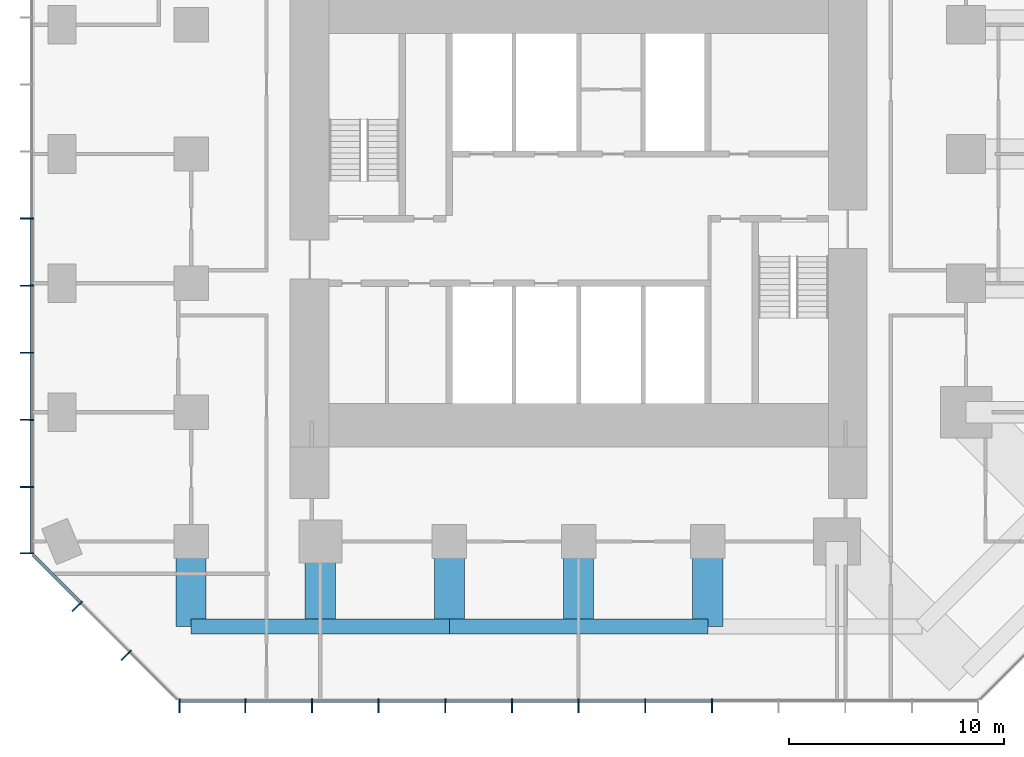
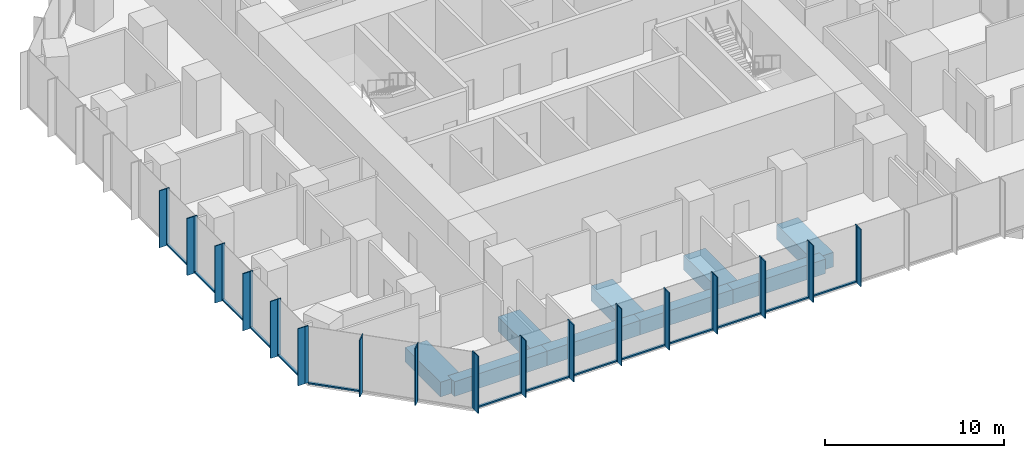
# One storey, part 2 of 12: 48 members, 9 beams, 3 elements without a shape of their own.
"""IFC4 building model written with IfcOpenShell, lengths in metres."""

from ifc_helpers import new_model, si_unit, direction, frame, origin, origin_2d, place, context, subcontext, project, spatial, rectangle, extrude, material, layer, layer_set, material_profile, profile_set, type_object, element, aggregate, save


model = new_model("IFC4")

# Units and contexts
model_context = context("Model", 3, precision=1e-05, world=origin(), true_north=direction((0.0, 1.0)))
body_context = subcontext(model_context, "Body", "Model", "MODEL_VIEW")
ifc_project = project(units=[si_unit("LENGTHUNIT", "METRE"), si_unit("AREAUNIT", "SQUARE_METRE"), si_unit("VOLUMEUNIT", "CUBIC_METRE"), si_unit("PLANEANGLEUNIT", "RADIAN"), si_unit("MASSUNIT", "GRAM", prefix="KILO")], contexts=[model_context])

# Site, building, storey
site_placement = place(None, origin())
site = spatial("IfcSite", under=ifc_project, at=site_placement, CompositionType="ELEMENT")
building_placement = place(site_placement, origin())
building = spatial("IfcBuilding", under=site, at=building_placement, Name="Highveld Stack Headquarters", CompositionType="ELEMENT")
storey_placement = place(building_placement, frame((0.0, 0.0, 156.199951171875)))
storey = spatial("IfcBuildingStorey", under=building, at=storey_placement, Name="L38", CompositionType="ELEMENT", Elevation=156.199951171875)

# Beams
ifc_material_1 = material(Name="Concrete C60/75", Category="concrete")
ifc_material_profile_1 = material_profile(ifc_material_1, rectangle(XDim=1.39990234375, YDim=1.0, at=origin_2d()), Name="RC 1400x1000")
ifc_profile_set_1 = profile_set([ifc_material_profile_1], Name="Concrete C60/75")
beam_type_1 = type_object("IfcBeamType", Name="CANTILEVER RIB RC 1400x1000", PredefinedType="USERDEFINED", material=ifc_profile_set_1)
for number, where, z_axis, x_axis, name in (
    (1, (-12.0, -12.0, -0.75), (0.0, -1.0, 0.0), (1.0, 0.0, 0.0), "Cantilever rib 4/C L38"),
    (2, (-6.0, -12.0, -0.75), (0.0, -1.0, 0.0), (1.0, 0.0, 0.0), "Cantilever rib 5/C L38"),
    (3, (0.0, -12.0, -0.75), (0.0, -1.0, 0.0), (1.0, 0.0, 0.0), "Cantilever rib 6/C L38"),
    (4, (6.0, -12.0, -0.75), (0.0, -1.0, 0.0), (1.0, 0.0, 0.0), "Cantilever rib 7/C L38"),
    (5, (12.0, -12.0, -0.75), (0.0, -1.0, 0.0), (1.0, 0.0, 0.0), "Cantilever rib 8/C L38"),
):
    element("IfcBeam", number, at=place(storey_placement, frame(where, z_axis=z_axis, x_axis=x_axis)), inside=storey, type_object=beam_type_1, Name=name, ObjectType="CANTILEVER RIB", PredefinedType="USERDEFINED", context=body_context, shape_type="SweptSolid", body=[
        extrude(rectangle(XDim=1.39990234375, YDim=1.0, at=origin_2d()), origin(), (0.0, 0.0, 1.0), 3.949951171875),
    ])

# Curtain wall, members
ifc_material_2 = material(Name="Aluminium bronze anodised", Category="aluminium")
ifc_layer_1 = layer(ifc_material_2, 0.199951171875)
ifc_layer_set_1 = layer_set([ifc_layer_1], Name="Aluminium bronze anodised")
curtain_wall_type_1 = type_object("IfcCurtainWallType", Name="CW1 TOWER UNITISED CURTAIN WALL", PredefinedType="NOTDEFINED", material=ifc_layer_set_1)
curtain_wall_1_placement = place(storey_placement, origin())
curtain_wall_1 = element("IfcCurtainWall", 6, at=curtain_wall_1_placement, inside=storey, type_object=curtain_wall_type_1, Name="Curtain wall CW1 L38 S", PredefinedType="NOTDEFINED")
ifc_material_3 = material(Name="Aluminium bronze anodised", Category="aluminium")
ifc_material_profile_2 = material_profile(ifc_material_3, rectangle(XDim=0.449951171875, YDim=0.06005859375, at=origin_2d()), Name="FIN 450x60")
ifc_profile_set_2 = profile_set([ifc_material_profile_2], Name="Aluminium bronze anodised")
member_type_1 = type_object("IfcMemberType", Name="CW1 BRONZE FIN 450x60", PredefinedType="USERDEFINED", material=ifc_profile_set_2)
member_1_placement = place(storey_placement, frame((-12.54736328125, -19.72509765625, 0.0), z_axis=(0.0, 0.0, 1.0), x_axis=(0.0, 1.0, 0.0)))
member_1 = element("IfcMember", 7, at=member_1_placement, type_object=member_type_1, Name="CW1 fin L38 1", ObjectType="FIN", PredefinedType="USERDEFINED", context=body_context, shape_type="SweptSolid", body=[
    extrude(rectangle(XDim=0.449951171875, YDim=0.06005859375, at=origin_2d()), origin(), (0.0, 0.0, 1.0), 3.900146484375),
])
member_2_placement = place(storey_placement, frame((-9.483154296875, -19.72509765625, 0.0), z_axis=(0.0, 0.0, 1.0), x_axis=(0.0, 1.0, 0.0)))
member_2 = element("IfcMember", 8, at=member_2_placement, type_object=member_type_1, Name="CW1 fin L38 2", ObjectType="FIN", PredefinedType="USERDEFINED", context=body_context, shape_type="SweptSolid", body=[
    extrude(rectangle(XDim=0.449951171875, YDim=0.06005859375, at=origin_2d()), origin(), (0.0, 0.0, 1.0), 3.900146484375),
])
member_3_placement = place(storey_placement, frame((-6.38671875, -19.72509765625, 0.0), z_axis=(0.0, 0.0, 1.0), x_axis=(0.0, 1.0, 0.0)))
member_3 = element("IfcMember", 9, at=member_3_placement, type_object=member_type_1, Name="CW1 fin L38 3", ObjectType="FIN", PredefinedType="USERDEFINED", context=body_context, shape_type="SweptSolid", body=[
    extrude(rectangle(XDim=0.449951171875, YDim=0.06005859375, at=origin_2d()), origin(), (0.0, 0.0, 1.0), 3.900146484375),
])
member_4_placement = place(storey_placement, frame((-3.2900390625, -19.72509765625, 0.0), z_axis=(0.0, 0.0, 1.0), x_axis=(0.0, 1.0, 0.0)))
member_4 = element("IfcMember", 10, at=member_4_placement, type_object=member_type_1, Name="CW1 fin L38 4", ObjectType="FIN", PredefinedType="USERDEFINED", context=body_context, shape_type="SweptSolid", body=[
    extrude(rectangle(XDim=0.449951171875, YDim=0.06005859375, at=origin_2d()), origin(), (0.0, 0.0, 1.0), 3.900146484375),
])
member_5_placement = place(storey_placement, frame((-0.193359375, -19.72509765625, 0.0), z_axis=(0.0, 0.0, 1.0), x_axis=(0.0, 1.0, 0.0)))
member_5 = element("IfcMember", 11, at=member_5_placement, type_object=member_type_1, Name="CW1 fin L38 5", ObjectType="FIN", PredefinedType="USERDEFINED", context=body_context, shape_type="SweptSolid", body=[
    extrude(rectangle(XDim=0.449951171875, YDim=0.06005859375, at=origin_2d()), origin(), (0.0, 0.0, 1.0), 3.900146484375),
])
member_6_placement = place(storey_placement, frame((2.9033203125, -19.72509765625, 0.0), z_axis=(0.0, 0.0, 1.0), x_axis=(0.0, 1.0, 0.0)))
member_6 = element("IfcMember", 12, at=member_6_placement, type_object=member_type_1, Name="CW1 fin L38 6", ObjectType="FIN", PredefinedType="USERDEFINED", context=body_context, shape_type="SweptSolid", body=[
    extrude(rectangle(XDim=0.449951171875, YDim=0.06005859375, at=origin_2d()), origin(), (0.0, 0.0, 1.0), 3.900146484375),
])
member_7_placement = place(storey_placement, frame((6.0, -19.72509765625, 0.0), z_axis=(0.0, 0.0, 1.0), x_axis=(0.0, 1.0, 0.0)))
member_7 = element("IfcMember", 13, at=member_7_placement, type_object=member_type_1, Name="CW1 fin L38 7", ObjectType="FIN", PredefinedType="USERDEFINED", context=body_context, shape_type="SweptSolid", body=[
    extrude(rectangle(XDim=0.449951171875, YDim=0.06005859375, at=origin_2d()), origin(), (0.0, 0.0, 1.0), 3.900146484375),
])
member_8_placement = place(storey_placement, frame((9.0966796875, -19.72509765625, 0.0), z_axis=(0.0, 0.0, 1.0), x_axis=(0.0, 1.0, 0.0)))
member_8 = element("IfcMember", 14, at=member_8_placement, type_object=member_type_1, Name="CW1 fin L38 8", ObjectType="FIN", PredefinedType="USERDEFINED", context=body_context, shape_type="SweptSolid", body=[
    extrude(rectangle(XDim=0.449951171875, YDim=0.06005859375, at=origin_2d()), origin(), (0.0, 0.0, 1.0), 3.900146484375),
])
member_9_placement = place(storey_placement, frame((12.193359375, -19.72509765625, 0.0), z_axis=(0.0, 0.0, 1.0), x_axis=(0.0, 1.0, 0.0)))
member_9 = element("IfcMember", 15, at=member_9_placement, type_object=member_type_1, Name="CW1 fin L38 9", ObjectType="FIN", PredefinedType="USERDEFINED", context=body_context, shape_type="SweptSolid", body=[
    extrude(rectangle(XDim=0.449951171875, YDim=0.06005859375, at=origin_2d()), origin(), (0.0, 0.0, 1.0), 3.900146484375),
])

curtain_wall_2_placement = place(storey_placement, origin())
curtain_wall_2 = element("IfcCurtainWall", 16, at=curtain_wall_2_placement, inside=storey, type_object=curtain_wall_type_1, Name="Curtain wall CW1 L38 W", PredefinedType="NOTDEFINED")
member_10_placement = place(storey_placement, frame((-19.72509765625, 3.0, 0.0), z_axis=(0.0, 0.0, 1.0), x_axis=(1.0, 0.0, 0.0)))
member_10 = element("IfcMember", 17, at=member_10_placement, type_object=member_type_1, Name="CW1 fin L38 6", ObjectType="FIN", PredefinedType="USERDEFINED", context=body_context, shape_type="SweptSolid", body=[
    extrude(rectangle(XDim=0.449951171875, YDim=0.06005859375, at=origin_2d()), origin(), (0.0, 0.0, 1.0), 3.900146484375),
])
member_11_placement = place(storey_placement, frame((-19.72509765625, -0.115966796875, 0.0), z_axis=(0.0, 0.0, 1.0), x_axis=(1.0, 0.0, 0.0)))
member_11 = element("IfcMember", 18, at=member_11_placement, type_object=member_type_1, Name="CW1 fin L38 7", ObjectType="FIN", PredefinedType="USERDEFINED", context=body_context, shape_type="SweptSolid", body=[
    extrude(rectangle(XDim=0.449951171875, YDim=0.06005859375, at=origin_2d()), origin(), (0.0, 0.0, 1.0), 3.900146484375),
])
member_12_placement = place(storey_placement, frame((-19.72509765625, -3.23193359375, 0.0), z_axis=(0.0, 0.0, 1.0), x_axis=(1.0, 0.0, 0.0)))
member_12 = element("IfcMember", 19, at=member_12_placement, type_object=member_type_1, Name="CW1 fin L38 8", ObjectType="FIN", PredefinedType="USERDEFINED", context=body_context, shape_type="SweptSolid", body=[
    extrude(rectangle(XDim=0.449951171875, YDim=0.06005859375, at=origin_2d()), origin(), (0.0, 0.0, 1.0), 3.900146484375),
])
member_13_placement = place(storey_placement, frame((-19.72509765625, -6.347900390625, 0.0), z_axis=(0.0, 0.0, 1.0), x_axis=(1.0, 0.0, 0.0)))
member_13 = element("IfcMember", 20, at=member_13_placement, type_object=member_type_1, Name="CW1 fin L38 9", ObjectType="FIN", PredefinedType="USERDEFINED", context=body_context, shape_type="SweptSolid", body=[
    extrude(rectangle(XDim=0.449951171875, YDim=0.06005859375, at=origin_2d()), origin(), (0.0, 0.0, 1.0), 3.900146484375),
])
member_14_placement = place(storey_placement, frame((-19.72509765625, -9.4638671875, 0.0), z_axis=(0.0, 0.0, 1.0), x_axis=(1.0, 0.0, 0.0)))
member_14 = element("IfcMember", 21, at=member_14_placement, type_object=member_type_1, Name="CW1 fin L38 10", ObjectType="FIN", PredefinedType="USERDEFINED", context=body_context, shape_type="SweptSolid", body=[
    extrude(rectangle(XDim=0.449951171875, YDim=0.06005859375, at=origin_2d()), origin(), (0.0, 0.0, 1.0), 3.900146484375),
])
member_15_placement = place(storey_placement, frame((-19.72509765625, -12.54736328125, 0.0), z_axis=(0.0, 0.0, 1.0), x_axis=(1.0, 0.0, 0.0)))
member_15 = element("IfcMember", 22, at=member_15_placement, type_object=member_type_1, Name="CW1 fin L38 11", ObjectType="FIN", PredefinedType="USERDEFINED", context=body_context, shape_type="SweptSolid", body=[
    extrude(rectangle(XDim=0.449951171875, YDim=0.06005859375, at=origin_2d()), origin(), (0.0, 0.0, 1.0), 3.900146484375),
])

# Member
ifc_material_4 = material(Name="Aluminium bronze anodised", Category="aluminium")
ifc_material_profile_3 = material_profile(ifc_material_4, rectangle(XDim=0.199951171875, YDim=0.06494140625, at=origin_2d()), Name="CW1 MULLION 65x200")
ifc_profile_set_3 = profile_set([ifc_material_profile_3], Name="Aluminium bronze anodised")
member_type_2 = type_object("IfcMemberType", Name="CW1 MULLION 65x200", PredefinedType="MULLION", material=ifc_profile_set_3)
member_16_placement = place(storey_placement, frame((-12.54736328125, -19.39990234375, 0.0), z_axis=(0.0, 0.0, 1.0), x_axis=(0.0, 1.0, 0.0)))
member_16 = element("IfcMember", 23, at=member_16_placement, type_object=member_type_2, Name="CW1 mullion L38 1", PredefinedType="MULLION", context=body_context, shape_type="SweptSolid", body=[
    extrude(rectangle(XDim=0.199951171875, YDim=0.06494140625, at=origin_2d()), origin(), (0.0, 0.0, 1.0), 3.900146484375),
])

member_17_placement = place(storey_placement, frame((-9.483154296875, -19.39990234375, 0.0), z_axis=(0.0, 0.0, 1.0), x_axis=(0.0, 1.0, 0.0)))
member_17 = element("IfcMember", 24, at=member_17_placement, type_object=member_type_2, Name="CW1 mullion L38 2", PredefinedType="MULLION", context=body_context, shape_type="SweptSolid", body=[
    extrude(rectangle(XDim=0.199951171875, YDim=0.06494140625, at=origin_2d()), origin(), (0.0, 0.0, 1.0), 3.900146484375),
])

member_18_placement = place(storey_placement, frame((-6.38671875, -19.39990234375, 0.0), z_axis=(0.0, 0.0, 1.0), x_axis=(0.0, 1.0, 0.0)))
member_18 = element("IfcMember", 25, at=member_18_placement, type_object=member_type_2, Name="CW1 mullion L38 3", PredefinedType="MULLION", context=body_context, shape_type="SweptSolid", body=[
    extrude(rectangle(XDim=0.199951171875, YDim=0.06494140625, at=origin_2d()), origin(), (0.0, 0.0, 1.0), 3.900146484375),
])

member_19_placement = place(storey_placement, frame((-3.2900390625, -19.39990234375, 0.0), z_axis=(0.0, 0.0, 1.0), x_axis=(0.0, 1.0, 0.0)))
member_19 = element("IfcMember", 26, at=member_19_placement, type_object=member_type_2, Name="CW1 mullion L38 4", PredefinedType="MULLION", context=body_context, shape_type="SweptSolid", body=[
    extrude(rectangle(XDim=0.199951171875, YDim=0.06494140625, at=origin_2d()), origin(), (0.0, 0.0, 1.0), 3.900146484375),
])

member_20_placement = place(storey_placement, frame((-0.193359375, -19.39990234375, 0.0), z_axis=(0.0, 0.0, 1.0), x_axis=(0.0, 1.0, 0.0)))
member_20 = element("IfcMember", 27, at=member_20_placement, type_object=member_type_2, Name="CW1 mullion L38 5", PredefinedType="MULLION", context=body_context, shape_type="SweptSolid", body=[
    extrude(rectangle(XDim=0.199951171875, YDim=0.06494140625, at=origin_2d()), origin(), (0.0, 0.0, 1.0), 3.900146484375),
])

member_21_placement = place(storey_placement, frame((2.9033203125, -19.39990234375, 0.0), z_axis=(0.0, 0.0, 1.0), x_axis=(0.0, 1.0, 0.0)))
member_21 = element("IfcMember", 28, at=member_21_placement, type_object=member_type_2, Name="CW1 mullion L38 6", PredefinedType="MULLION", context=body_context, shape_type="SweptSolid", body=[
    extrude(rectangle(XDim=0.199951171875, YDim=0.06494140625, at=origin_2d()), origin(), (0.0, 0.0, 1.0), 3.900146484375),
])

member_22_placement = place(storey_placement, frame((6.0, -19.39990234375, 0.0), z_axis=(0.0, 0.0, 1.0), x_axis=(0.0, 1.0, 0.0)))
member_22 = element("IfcMember", 29, at=member_22_placement, type_object=member_type_2, Name="CW1 mullion L38 7", PredefinedType="MULLION", context=body_context, shape_type="SweptSolid", body=[
    extrude(rectangle(XDim=0.199951171875, YDim=0.06494140625, at=origin_2d()), origin(), (0.0, 0.0, 1.0), 3.900146484375),
])

member_23_placement = place(storey_placement, frame((9.0966796875, -19.39990234375, 0.0), z_axis=(0.0, 0.0, 1.0), x_axis=(0.0, 1.0, 0.0)))
member_23 = element("IfcMember", 30, at=member_23_placement, type_object=member_type_2, Name="CW1 mullion L38 8", PredefinedType="MULLION", context=body_context, shape_type="SweptSolid", body=[
    extrude(rectangle(XDim=0.199951171875, YDim=0.06494140625, at=origin_2d()), origin(), (0.0, 0.0, 1.0), 3.900146484375),
])

member_24_placement = place(storey_placement, frame((12.193359375, -19.39990234375, 0.0), z_axis=(0.0, 0.0, 1.0), x_axis=(0.0, 1.0, 0.0)))
member_24 = element("IfcMember", 31, at=member_24_placement, type_object=member_type_2, Name="CW1 mullion L38 9", PredefinedType="MULLION", context=body_context, shape_type="SweptSolid", body=[
    extrude(rectangle(XDim=0.199951171875, YDim=0.06494140625, at=origin_2d()), origin(), (0.0, 0.0, 1.0), 3.900146484375),
])

member_25_placement = place(storey_placement, frame((-19.39990234375, 3.0, 0.0), z_axis=(0.0, 0.0, 1.0), x_axis=(1.0, 0.0, 0.0)))
member_25 = element("IfcMember", 32, at=member_25_placement, type_object=member_type_2, Name="CW1 mullion L38 6", PredefinedType="MULLION", context=body_context, shape_type="SweptSolid", body=[
    extrude(rectangle(XDim=0.199951171875, YDim=0.06494140625, at=origin_2d()), origin(), (0.0, 0.0, 1.0), 3.900146484375),
])

member_26_placement = place(storey_placement, frame((-19.39990234375, -0.115966796875, 0.0), z_axis=(0.0, 0.0, 1.0), x_axis=(1.0, 0.0, 0.0)))
member_26 = element("IfcMember", 33, at=member_26_placement, type_object=member_type_2, Name="CW1 mullion L38 7", PredefinedType="MULLION", context=body_context, shape_type="SweptSolid", body=[
    extrude(rectangle(XDim=0.199951171875, YDim=0.06494140625, at=origin_2d()), origin(), (0.0, 0.0, 1.0), 3.900146484375),
])

member_27_placement = place(storey_placement, frame((-19.39990234375, -3.23193359375, 0.0), z_axis=(0.0, 0.0, 1.0), x_axis=(1.0, 0.0, 0.0)))
member_27 = element("IfcMember", 34, at=member_27_placement, type_object=member_type_2, Name="CW1 mullion L38 8", PredefinedType="MULLION", context=body_context, shape_type="SweptSolid", body=[
    extrude(rectangle(XDim=0.199951171875, YDim=0.06494140625, at=origin_2d()), origin(), (0.0, 0.0, 1.0), 3.900146484375),
])

member_28_placement = place(storey_placement, frame((-19.39990234375, -6.347900390625, 0.0), z_axis=(0.0, 0.0, 1.0), x_axis=(1.0, 0.0, 0.0)))
member_28 = element("IfcMember", 35, at=member_28_placement, type_object=member_type_2, Name="CW1 mullion L38 9", PredefinedType="MULLION", context=body_context, shape_type="SweptSolid", body=[
    extrude(rectangle(XDim=0.199951171875, YDim=0.06494140625, at=origin_2d()), origin(), (0.0, 0.0, 1.0), 3.900146484375),
])

member_29_placement = place(storey_placement, frame((-19.39990234375, -9.4638671875, 0.0), z_axis=(0.0, 0.0, 1.0), x_axis=(1.0, 0.0, 0.0)))
member_29 = element("IfcMember", 36, at=member_29_placement, type_object=member_type_2, Name="CW1 mullion L38 10", PredefinedType="MULLION", context=body_context, shape_type="SweptSolid", body=[
    extrude(rectangle(XDim=0.199951171875, YDim=0.06494140625, at=origin_2d()), origin(), (0.0, 0.0, 1.0), 3.900146484375),
])

member_30_placement = place(storey_placement, frame((-19.39990234375, -12.54736328125, 0.0), z_axis=(0.0, 0.0, 1.0), x_axis=(1.0, 0.0, 0.0)))
member_30 = element("IfcMember", 37, at=member_30_placement, type_object=member_type_2, Name="CW1 mullion L38 11", PredefinedType="MULLION", context=body_context, shape_type="SweptSolid", body=[
    extrude(rectangle(XDim=0.199951171875, YDim=0.06494140625, at=origin_2d()), origin(), (0.0, 0.0, 1.0), 3.900146484375),
])

ifc_material_5 = material(Name="Aluminium bronze anodised", Category="aluminium")
ifc_material_profile_4 = material_profile(ifc_material_5, rectangle(XDim=0.14990234375, YDim=0.10009765625, at=origin_2d()), Name="CW1 TRANSOM 150x100")
ifc_profile_set_4 = profile_set([ifc_material_profile_4], Name="Aluminium bronze anodised")
member_type_3 = type_object("IfcMemberType", Name="CW1 STACK TRANSOM 150x100", PredefinedType="USERDEFINED", material=ifc_profile_set_4)
member_31_placement = place(storey_placement, frame((-12.514892578125, -19.39990234375, 0.050048828125), z_axis=(1.0, 0.0, 0.0), x_axis=(0.0, 1.0, 0.0)))
member_31 = element("IfcMember", 38, at=member_31_placement, type_object=member_type_3, Name="CW1 transom L38 1.1", ObjectType="TRANSOM", PredefinedType="USERDEFINED", context=body_context, shape_type="SweptSolid", body=[
    extrude(rectangle(XDim=0.14990234375, YDim=0.10009765625, at=origin_2d()), origin(), (0.0, 0.0, 1.0), 2.9990234375),
])

member_32_placement = place(storey_placement, frame((-9.45068359375, -19.39990234375, 0.050048828125), z_axis=(1.0, 0.0, 0.0), x_axis=(0.0, 1.0, 0.0)))
member_32 = element("IfcMember", 39, at=member_32_placement, type_object=member_type_3, Name="CW1 transom L38 2.1", ObjectType="TRANSOM", PredefinedType="USERDEFINED", context=body_context, shape_type="SweptSolid", body=[
    extrude(rectangle(XDim=0.14990234375, YDim=0.10009765625, at=origin_2d()), origin(), (0.0, 0.0, 1.0), 3.031494140625),
])

member_33_placement = place(storey_placement, frame((-6.35400390625, -19.39990234375, 0.050048828125), z_axis=(1.0, 0.0, 0.0), x_axis=(0.0, 1.0, 0.0)))
member_33 = element("IfcMember", 40, at=member_33_placement, type_object=member_type_3, Name="CW1 transom L38 3.1", ObjectType="TRANSOM", PredefinedType="USERDEFINED", context=body_context, shape_type="SweptSolid", body=[
    extrude(rectangle(XDim=0.14990234375, YDim=0.10009765625, at=origin_2d()), origin(), (0.0, 0.0, 1.0), 3.031494140625),
])

member_34_placement = place(storey_placement, frame((-3.257568359375, -19.39990234375, 0.050048828125), z_axis=(1.0, 0.0, 0.0), x_axis=(0.0, 1.0, 0.0)))
member_34 = element("IfcMember", 41, at=member_34_placement, type_object=member_type_3, Name="CW1 transom L38 4.1", ObjectType="TRANSOM", PredefinedType="USERDEFINED", context=body_context, shape_type="SweptSolid", body=[
    extrude(rectangle(XDim=0.14990234375, YDim=0.10009765625, at=origin_2d()), origin(), (0.0, 0.0, 1.0), 3.03173828125),
])

member_35_placement = place(storey_placement, frame((-0.160888671875, -19.39990234375, 0.050048828125), z_axis=(1.0, 0.0, 0.0), x_axis=(0.0, 1.0, 0.0)))
member_35 = element("IfcMember", 42, at=member_35_placement, type_object=member_type_3, Name="CW1 transom L38 5.1", ObjectType="TRANSOM", PredefinedType="USERDEFINED", context=body_context, shape_type="SweptSolid", body=[
    extrude(rectangle(XDim=0.14990234375, YDim=0.10009765625, at=origin_2d()), origin(), (0.0, 0.0, 1.0), 3.03173828125),
])

member_36_placement = place(storey_placement, frame((2.935791015625, -19.39990234375, 0.050048828125), z_axis=(1.0, 0.0, 0.0), x_axis=(0.0, 1.0, 0.0)))
member_36 = element("IfcMember", 43, at=member_36_placement, type_object=member_type_3, Name="CW1 transom L38 6.1", ObjectType="TRANSOM", PredefinedType="USERDEFINED", context=body_context, shape_type="SweptSolid", body=[
    extrude(rectangle(XDim=0.14990234375, YDim=0.10009765625, at=origin_2d()), origin(), (0.0, 0.0, 1.0), 3.03173828125),
])

member_37_placement = place(storey_placement, frame((6.032470703125, -19.39990234375, 0.050048828125), z_axis=(1.0, 0.0, 0.0), x_axis=(0.0, 1.0, 0.0)))
member_37 = element("IfcMember", 44, at=member_37_placement, type_object=member_type_3, Name="CW1 transom L38 7.1", ObjectType="TRANSOM", PredefinedType="USERDEFINED", context=body_context, shape_type="SweptSolid", body=[
    extrude(rectangle(XDim=0.14990234375, YDim=0.10009765625, at=origin_2d()), origin(), (0.0, 0.0, 1.0), 3.03173828125),
])

member_38_placement = place(storey_placement, frame((9.129150390625, -19.39990234375, 0.050048828125), z_axis=(1.0, 0.0, 0.0), x_axis=(0.0, 1.0, 0.0)))
member_38 = element("IfcMember", 45, at=member_38_placement, type_object=member_type_3, Name="CW1 transom L38 8.1", ObjectType="TRANSOM", PredefinedType="USERDEFINED", context=body_context, shape_type="SweptSolid", body=[
    extrude(rectangle(XDim=0.14990234375, YDim=0.10009765625, at=origin_2d()), origin(), (0.0, 0.0, 1.0), 3.03173828125),
])

aggregate(curtain_wall_1, [member_16, member_1, member_17, member_2, member_18, member_3, member_19, member_4, member_20, member_5, member_21, member_6, member_22, member_7, member_23, member_8, member_24, member_9, member_31, member_32, member_33, member_34, member_35, member_36, member_37, member_38])

member_39_placement = place(storey_placement, frame((-19.39990234375, 2.967529296875, 0.050048828125), z_axis=(0.0, -1.0, 0.0), x_axis=(1.0, 0.0, 0.0)))
member_39 = element("IfcMember", 46, at=member_39_placement, type_object=member_type_3, Name="CW1 transom L38 6.1", ObjectType="TRANSOM", PredefinedType="USERDEFINED", context=body_context, shape_type="SweptSolid", body=[
    extrude(rectangle(XDim=0.14990234375, YDim=0.10009765625, at=origin_2d()), origin(), (0.0, 0.0, 1.0), 3.051025390625),
])

member_40_placement = place(storey_placement, frame((-19.39990234375, -0.1484375, 0.050048828125), z_axis=(0.0, -1.0, 0.0), x_axis=(1.0, 0.0, 0.0)))
member_40 = element("IfcMember", 47, at=member_40_placement, type_object=member_type_3, Name="CW1 transom L38 7.1", ObjectType="TRANSOM", PredefinedType="USERDEFINED", context=body_context, shape_type="SweptSolid", body=[
    extrude(rectangle(XDim=0.14990234375, YDim=0.10009765625, at=origin_2d()), origin(), (0.0, 0.0, 1.0), 3.051025390625),
])

member_41_placement = place(storey_placement, frame((-19.39990234375, -3.264404296875, 0.050048828125), z_axis=(0.0, -1.0, 0.0), x_axis=(1.0, 0.0, 0.0)))
member_41 = element("IfcMember", 48, at=member_41_placement, type_object=member_type_3, Name="CW1 transom L38 8.1", ObjectType="TRANSOM", PredefinedType="USERDEFINED", context=body_context, shape_type="SweptSolid", body=[
    extrude(rectangle(XDim=0.14990234375, YDim=0.10009765625, at=origin_2d()), origin(), (0.0, 0.0, 1.0), 3.051025390625),
])

member_42_placement = place(storey_placement, frame((-19.39990234375, -6.38037109375, 0.050048828125), z_axis=(0.0, -1.0, 0.0), x_axis=(1.0, 0.0, 0.0)))
member_42 = element("IfcMember", 49, at=member_42_placement, type_object=member_type_3, Name="CW1 transom L38 9.1", ObjectType="TRANSOM", PredefinedType="USERDEFINED", context=body_context, shape_type="SweptSolid", body=[
    extrude(rectangle(XDim=0.14990234375, YDim=0.10009765625, at=origin_2d()), origin(), (0.0, 0.0, 1.0), 3.051025390625),
])

member_43_placement = place(storey_placement, frame((-19.39990234375, -9.496337890625, 0.050048828125), z_axis=(0.0, -1.0, 0.0), x_axis=(1.0, 0.0, 0.0)))
member_43 = element("IfcMember", 50, at=member_43_placement, type_object=member_type_3, Name="CW1 transom L38 10.1", ObjectType="TRANSOM", PredefinedType="USERDEFINED", context=body_context, shape_type="SweptSolid", body=[
    extrude(rectangle(XDim=0.14990234375, YDim=0.10009765625, at=origin_2d()), origin(), (0.0, 0.0, 1.0), 3.0185546875),
])

aggregate(curtain_wall_2, [member_25, member_10, member_26, member_11, member_27, member_12, member_28, member_13, member_29, member_14, member_30, member_15, member_39, member_40, member_41, member_42, member_43])

# Curtain wall, members
ifc_material_6 = material(Name="Aluminium bronze anodised", Category="aluminium")
ifc_layer_2 = layer(ifc_material_6, 0.199951171875)
ifc_layer_set_2 = layer_set([ifc_layer_2], Name="Aluminium bronze anodised")
curtain_wall_type_2 = type_object("IfcCurtainWallType", Name="CW2 TOWER CHAMFER UNITISED CURTAIN WALL", PredefinedType="NOTDEFINED", material=ifc_layer_set_2)
curtain_wall_3_placement = place(storey_placement, origin())
curtain_wall_3 = element("IfcCurtainWall", 51, at=curtain_wall_3_placement, inside=storey, type_object=curtain_wall_type_2, Name="Curtain wall CW2 L38 SW", PredefinedType="NOTDEFINED")
ifc_material_7 = material(Name="Aluminium bronze anodised", Category="aluminium")
ifc_material_profile_5 = material_profile(ifc_material_7, rectangle(XDim=0.449951171875, YDim=0.06005859375, at=origin_2d()), Name="FIN 450x60")
ifc_profile_set_5 = profile_set([ifc_material_profile_5], Name="Aluminium bronze anodised")
member_type_4 = type_object("IfcMemberType", Name="CW2 BRONZE FIN 450x60", PredefinedType="USERDEFINED", material=ifc_profile_set_5)
member_44_placement = place(storey_placement, frame((-17.3564453125, -15.0830078125, 0.0), z_axis=(0.0, 0.0, 1.0), x_axis=(0.707106781187, 0.707106781187, 0.0)))
member_44 = element("IfcMember", 52, at=member_44_placement, type_object=member_type_4, Name="CW2 fin L38 1", ObjectType="FIN", PredefinedType="USERDEFINED", context=body_context, shape_type="SweptSolid", body=[
    extrude(rectangle(XDim=0.449951171875, YDim=0.06005859375, at=origin_2d()), origin(), (0.0, 0.0, 1.0), 3.900146484375),
])
member_45_placement = place(storey_placement, frame((-15.0830078125, -17.3564453125, 0.0), z_axis=(0.0, 0.0, 1.0), x_axis=(0.707106781187, 0.707106781187, 0.0)))
member_45 = element("IfcMember", 53, at=member_45_placement, type_object=member_type_4, Name="CW2 fin L38 2", ObjectType="FIN", PredefinedType="USERDEFINED", context=body_context, shape_type="SweptSolid", body=[
    extrude(rectangle(XDim=0.449951171875, YDim=0.06005859375, at=origin_2d()), origin(), (0.0, 0.0, 1.0), 3.900146484375),
])
ifc_material_8 = material(Name="Aluminium bronze anodised", Category="aluminium")
ifc_material_profile_6 = material_profile(ifc_material_8, rectangle(XDim=0.199951171875, YDim=0.06494140625, at=origin_2d()), Name="CW2 MULLION 65x200")
ifc_profile_set_6 = profile_set([ifc_material_profile_6], Name="Aluminium bronze anodised")
member_type_5 = type_object("IfcMemberType", Name="CW2 MULLION 65x200", PredefinedType="MULLION", material=ifc_profile_set_6)
member_46_placement = place(storey_placement, frame((-17.126708984375, -14.853271484375, 0.0), z_axis=(0.0, 0.0, 1.0), x_axis=(0.707106781187, 0.707106781187, 0.0)))
member_46 = element("IfcMember", 54, at=member_46_placement, type_object=member_type_5, Name="CW2 mullion L38 1", PredefinedType="MULLION", context=body_context, shape_type="SweptSolid", body=[
    extrude(rectangle(XDim=0.199951171875, YDim=0.06494140625, at=origin_2d()), origin(), (0.0, 0.0, 1.0), 3.900146484375),
])
member_47_placement = place(storey_placement, frame((-14.853271484375, -17.126708984375, 0.0), z_axis=(0.0, 0.0, 1.0), x_axis=(0.707106781187, 0.707106781187, 0.0)))
member_47 = element("IfcMember", 55, at=member_47_placement, type_object=member_type_5, Name="CW2 mullion L38 2", PredefinedType="MULLION", context=body_context, shape_type="SweptSolid", body=[
    extrude(rectangle(XDim=0.199951171875, YDim=0.06494140625, at=origin_2d()), origin(), (0.0, 0.0, 1.0), 3.900146484375),
])
ifc_material_9 = material(Name="Aluminium bronze anodised", Category="aluminium")
ifc_material_profile_7 = material_profile(ifc_material_9, rectangle(XDim=0.14990234375, YDim=0.10009765625, at=origin_2d()), Name="CW2 TRANSOM 150x100")
ifc_profile_set_7 = profile_set([ifc_material_profile_7], Name="Aluminium bronze anodised")
member_type_6 = type_object("IfcMemberType", Name="CW2 STACK TRANSOM 150x100", PredefinedType="USERDEFINED", material=ifc_profile_set_7)
member_48_placement = place(storey_placement, frame((-19.329345703125, -12.650634765625, 0.050048828125), z_axis=(0.707106781187, -0.707106781187, 0.0), x_axis=(0.707106781187, 0.707106781187, 0.0)))
member_48 = element("IfcMember", 56, at=member_48_placement, type_object=member_type_6, Name="CW2 transom L38 1.1", ObjectType="TRANSOM", PredefinedType="USERDEFINED", context=body_context, shape_type="SweptSolid", body=[
    extrude(rectangle(XDim=0.14990234375, YDim=0.10009765625, at=origin_2d()), origin(), (0.0, 0.0, 1.0), 3.08251953125),
])
aggregate(curtain_wall_3, [member_46, member_44, member_47, member_45, member_48])

# Beams
ifc_material_10 = material(Name="Concrete C60/75", Category="concrete")
ifc_material_profile_8 = material_profile(ifc_material_10, rectangle(XDim=0.699951171875, YDim=1.0, at=origin_2d()), Name="RC 700x1000")
ifc_profile_set_8 = profile_set([ifc_material_profile_8], Name="Concrete C60/75")
beam_type_2 = type_object("IfcBeamType", Name="RIB TIP BEAM RC 700x1000", PredefinedType="SPANDREL", material=ifc_profile_set_8)
for number, where, z_axis, x_axis, name in (
    (57, (-12.0, -15.949951171875, -0.75), (1.0, 0.0, 0.0), (0.0, 1.0, 0.0), "Rib tip beam 4/C to 5/C L38"),
    (58, (-6.0, -15.949951171875, -0.75), (1.0, 0.0, 0.0), (0.0, 1.0, 0.0), "Rib tip beam 5/C to 6/C L38"),
    (59, (0.0, -15.949951171875, -0.75), (1.0, 0.0, 0.0), (0.0, 1.0, 0.0), "Rib tip beam 6/C to 7/C L38"),
    (60, (6.0, -15.949951171875, -0.75), (1.0, 0.0, 0.0), (0.0, 1.0, 0.0), "Rib tip beam 7/C to 8/C L38"),
):
    element("IfcBeam", number, at=place(storey_placement, frame(where, z_axis=z_axis, x_axis=x_axis)), inside=storey, type_object=beam_type_2, Name=name, PredefinedType="SPANDREL", context=body_context, shape_type="SweptSolid", body=[
        extrude(rectangle(XDim=0.699951171875, YDim=1.0, at=origin_2d()), origin(), (0.0, 0.0, 1.0), 6.0),
    ])

save(model, "model.ifc")
